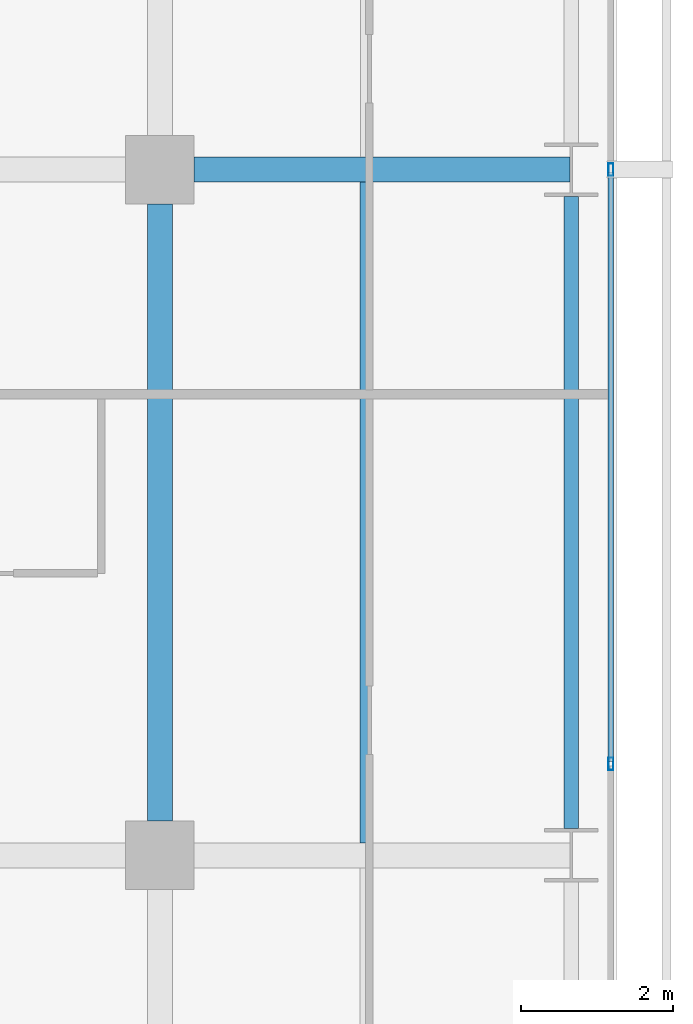
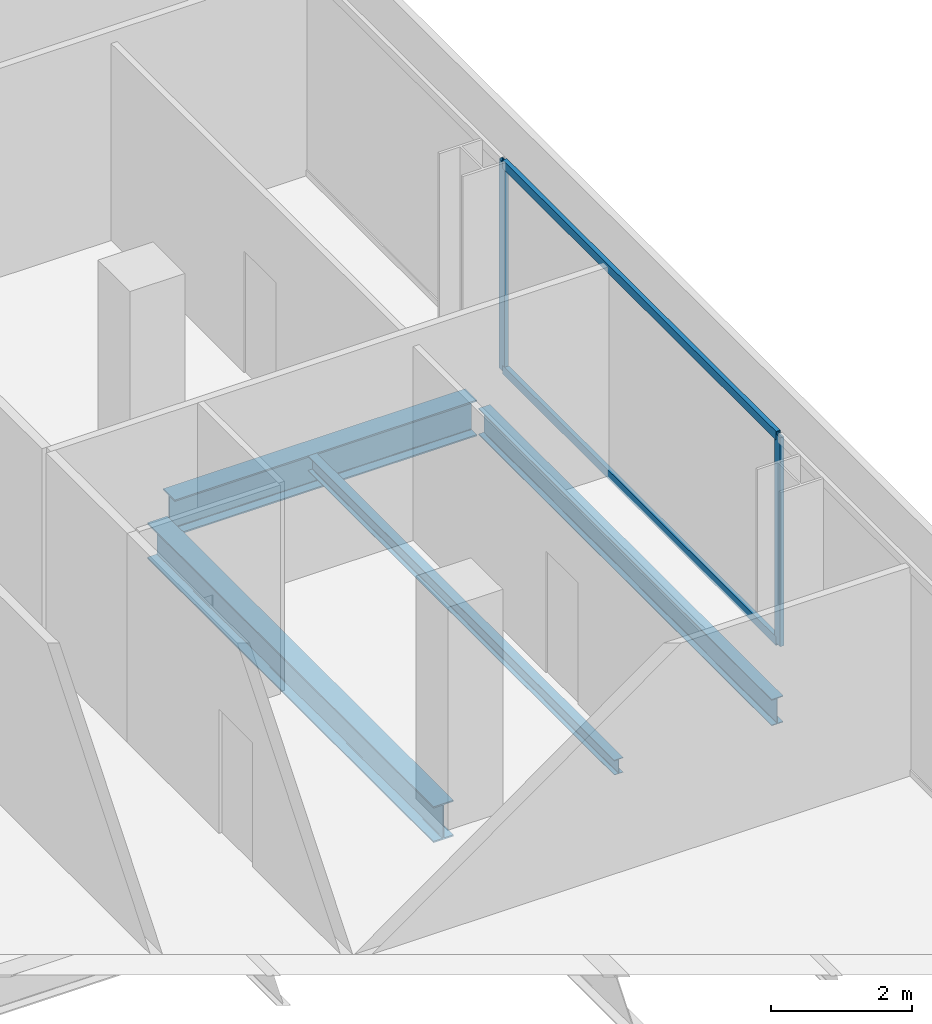
# One storey, part 19 of 39: 4 beams, 4 members, 1 element without a shape of its own.
"""IFC4 building model written with IfcOpenShell, lengths in metres."""

from ifc_helpers import new_model, si_unit, direction, frame, origin, origin_2d, place, context, subcontext, project, spatial, hollow_rectangle, i_section, extrude, material, layer, layer_set, material_profile, profile_set, type_object, element, aggregate, save


model = new_model("IFC4")

# Units and contexts
model_context = context("Model", 3, precision=1e-05, world=origin(), true_north=direction((0.0, 1.0)))
body_context = subcontext(model_context, "Body", "Model", "MODEL_VIEW")
ifc_project = project(units=[si_unit("LENGTHUNIT", "METRE"), si_unit("AREAUNIT", "SQUARE_METRE"), si_unit("VOLUMEUNIT", "CUBIC_METRE"), si_unit("PLANEANGLEUNIT", "RADIAN"), si_unit("MASSUNIT", "GRAM", prefix="KILO")], contexts=[model_context])

# Site, building, storey
site_placement = place(None, origin())
site = spatial("IfcSite", under=ifc_project, at=site_placement, CompositionType="ELEMENT")
building_placement = place(site_placement, origin())
building = spatial("IfcBuilding", under=site, at=building_placement, Name="Maruvema Waterfront Hotel and Observation Tower", CompositionType="ELEMENT")
storey_placement = place(building_placement, frame((0.0, 0.0, 65.449951171875)))
storey = spatial("IfcBuildingStorey", under=building, at=storey_placement, Name="L15", CompositionType="ELEMENT", Elevation=65.449951171875)

# Curtain wall, members
ifc_material_1 = material(Name="Anodised bronze aluminium and solar-control low-E IGU", Category="aluminium")
ifc_layer = layer(ifc_material_1, 0.159912109375, Name="Zone 1 Bronze Inner Thermal Curtain Wall System CW-02")
ifc_layer_set = layer_set([ifc_layer], Name="Anodised bronze aluminium and solar-control low-E IGU")
curtain_wall_type = type_object("IfcCurtainWallType", Name="Zone 1 Bronze Inner Thermal Curtain Wall System CW-02", PredefinedType="USERDEFINED", material=ifc_layer_set)
curtain_wall_placement = place(storey_placement, origin())
curtain_wall = element("IfcCurtainWall", 1, at=curtain_wall_placement, inside=storey, type_object=curtain_wall_type, Name="L15 Curtain Wall CW-L15-E", ObjectType="UNITISED CURTAIN WALL", PredefinedType="USERDEFINED")
ifc_material_2 = material(Name="Anodised architectural bronze aluminium", Category="aluminium")
ifc_material_profile_1 = material_profile(ifc_material_2, hollow_rectangle(XDim=0.070068359375, YDim=0.14990234375, WallThickness=0.00390625, at=origin_2d()), Name="ALU-T70x150")
ifc_profile_set_1 = profile_set([ifc_material_profile_1], Name="Anodised architectural bronze aluminium")
member_type_1 = type_object("IfcMemberType", Name="Curtain Wall Horizontal Transom ALU-T70x150", PredefinedType="USERDEFINED", material=ifc_profile_set_1)
member_1_placement = place(storey_placement, frame((64.719970703125, 19.22998046875, 0.030029296875), z_axis=(0.0, 1.0, 0.0), x_axis=(-1.0, 0.0, 0.0)))
member_1 = element("IfcMember", 2, at=member_1_placement, type_object=member_type_1, Name="CW-02 transom 3.1", ObjectType="TRANSOM", PredefinedType="USERDEFINED", context=body_context, shape_type="SweptSolid", body=[
    extrude(hollow_rectangle(XDim=0.070068359375, YDim=0.14990234375, WallThickness=0.00390625, at=origin_2d()), origin(), (0.0, 0.0, 1.0), 7.739990234375),
])
member_2_placement = place(storey_placement, frame((64.719970703125, 19.22998046875, 3.580078125), z_axis=(0.0, 1.0, 0.0), x_axis=(-1.0, 0.0, 0.0)))
member_2 = element("IfcMember", 3, at=member_2_placement, type_object=member_type_1, Name="CW-02 transom 3.2", ObjectType="TRANSOM", PredefinedType="USERDEFINED", context=body_context, shape_type="SweptSolid", body=[
    extrude(hollow_rectangle(XDim=0.070068359375, YDim=0.14990234375, WallThickness=0.00390625, at=origin_2d()), origin(), (0.0, 0.0, 1.0), 7.739990234375),
])
ifc_material_3 = material(Name="Anodised architectural bronze aluminium", Category="aluminium")
ifc_material_profile_2 = material_profile(ifc_material_3, hollow_rectangle(XDim=0.06494140625, YDim=0.1650390625, WallThickness=0.00390625, at=origin_2d()), Name="ALU-M65x165")
ifc_profile_set_2 = profile_set([ifc_material_profile_2], Name="Anodised architectural bronze aluminium")
member_type_2 = type_object("IfcMemberType", Name="Curtain Wall Primary Mullion ALU-M65x165", PredefinedType="MULLION", material=ifc_profile_set_2)
member_3_placement = place(storey_placement, frame((64.719970703125, 19.199951171875, 0.0), z_axis=(0.0, 0.0, 1.0), x_axis=(-1.0, 0.0, 0.0)))
member_3 = element("IfcMember", 4, at=member_3_placement, type_object=member_type_2, Name="CW-02 mullion 3", PredefinedType="MULLION", context=body_context, shape_type="SweptSolid", body=[
    extrude(hollow_rectangle(XDim=0.06494140625, YDim=0.1650390625, WallThickness=0.00390625, at=origin_2d()), origin(), (0.0, 0.0, 1.0), 3.610107421875),
])
member_4_placement = place(storey_placement, frame((64.719970703125, 27.0, 0.0), z_axis=(0.0, 0.0, 1.0), x_axis=(-1.0, 0.0, 0.0)))
member_4 = element("IfcMember", 5, at=member_4_placement, type_object=member_type_2, Name="CW-02 mullion 4", PredefinedType="MULLION", context=body_context, shape_type="SweptSolid", body=[
    extrude(hollow_rectangle(XDim=0.06494140625, YDim=0.1650390625, WallThickness=0.00390625, at=origin_2d()), origin(), (0.0, 0.0, 1.0), 3.610107421875),
])
aggregate(curtain_wall, [member_3, member_4, member_1, member_2])

# Beams
ifc_material_4 = material(Name="Steel ASTM A572 Grade 50", Category="steel")
ifc_material_profile_3 = material_profile(ifc_material_4, i_section(OverallWidth=0.18994140625, OverallDepth=0.45703125, WebThickness=0.009033203125, FlangeThickness=0.014404296875, FilletRadius=0.014892578125, at=origin_2d()), Name="W460x74.0")
ifc_profile_set_3 = profile_set([ifc_material_profile_3], Name="Steel ASTM A572 Grade 50")
beam_type_1 = type_object("IfcBeamType", Name="Perimeter Spandrel Beam W460x74.0", PredefinedType="SPANDREL", material=ifc_profile_set_3)
beam_1_placement = place(storey_placement, frame((64.199951171875, 18.35009765625, -0.468505859375), z_axis=(0.0, 1.0, 0.0), x_axis=(-1.0, 0.0, 0.0)))
element("IfcBeam", 6, at=beam_1_placement, inside=storey, type_object=beam_type_1, Name="L15 Floor Girder NS-34", PredefinedType="SPANDREL", context=body_context, shape_type="SweptSolid", body=[
    extrude(i_section(OverallWidth=0.18994140625, OverallDepth=0.45703125, WebThickness=0.009033203125, FlangeThickness=0.014404296875, FilletRadius=0.014892578125, at=origin_2d()), origin(), (0.0, 0.0, 1.0), 8.2998046875),
])
ifc_material_5 = material(Name="Steel ASTM A572 Grade 50", Category="steel")
ifc_material_profile_4 = material_profile(ifc_material_5, i_section(OverallWidth=0.326904296875, OverallDepth=0.6220703125, WebThickness=0.015380859375, FlangeThickness=0.0244140625, FilletRadius=0.01806640625, at=origin_2d()), Name="W610x195.0")
ifc_profile_set_4 = profile_set([ifc_material_profile_4], Name="Steel ASTM A572 Grade 50")
beam_type_2 = type_object("IfcBeamType", Name="Primary Floor Girder W610x195.0", PredefinedType="BEAM", material=ifc_profile_set_4)
beam_2_placement = place(storey_placement, frame((59.25, 27.0, -0.551025390625), z_axis=(1.0, 0.0, 0.0), x_axis=(0.0, 1.0, 0.0)))
element("IfcBeam", 7, at=beam_2_placement, inside=storey, type_object=beam_type_2, Name="L15 Floor Girder EW-24", PredefinedType="BEAM", context=body_context, shape_type="SweptSolid", body=[
    extrude(i_section(OverallWidth=0.326904296875, OverallDepth=0.6220703125, WebThickness=0.015380859375, FlangeThickness=0.0244140625, FilletRadius=0.01806640625, at=origin_2d()), origin(), (0.0, 0.0, 1.0), 4.93603515625),
])
beam_3_placement = place(storey_placement, frame((58.800048828125, 18.449951171875, -0.551025390625), z_axis=(0.0, 1.0, 0.0), x_axis=(-1.0, 0.0, 0.0)))
element("IfcBeam", 8, at=beam_3_placement, inside=storey, type_object=beam_type_2, Name="L15 Floor Girder NS-29", PredefinedType="BEAM", context=body_context, shape_type="SweptSolid", body=[
    extrude(i_section(OverallWidth=0.326904296875, OverallDepth=0.6220703125, WebThickness=0.015380859375, FlangeThickness=0.0244140625, FilletRadius=0.01806640625, at=origin_2d()), origin(), (0.0, 0.0, 1.0), 8.10009765625),
])
ifc_material_6 = material(Name="Steel ASTM A572 Grade 50", Category="steel")
ifc_material_profile_5 = material_profile(ifc_material_6, i_section(OverallWidth=0.14599609375, OverallDepth=0.258056640625, WebThickness=0.006103515625, FlangeThickness=0.009033203125, FilletRadius=0.012939453125, at=origin_2d()), Name="W250x32.7")
ifc_profile_set_5 = profile_set([ifc_material_profile_5], Name="Steel ASTM A572 Grade 50")
beam_type_3 = type_object("IfcBeamType", Name="Secondary Floor Joist W250x32.7", PredefinedType="JOIST", material=ifc_profile_set_5)
beam_4_placement = place(storey_placement, frame((61.5, 18.16357421875, -0.368896484375), z_axis=(0.0, 1.0, 0.0), x_axis=(-1.0, 0.0, 0.0)))
element("IfcBeam", 9, at=beam_4_placement, inside=storey, type_object=beam_type_3, Name="L15 Secondary Floor Joist JS-22", PredefinedType="JOIST", context=body_context, shape_type="SweptSolid", body=[
    extrude(i_section(OverallWidth=0.14599609375, OverallDepth=0.258056640625, WebThickness=0.006103515625, FlangeThickness=0.009033203125, FilletRadius=0.012939453125, at=origin_2d()), origin(), (0.0, 0.0, 1.0), 8.6728515625),
])

save(model, "model.ifc")
